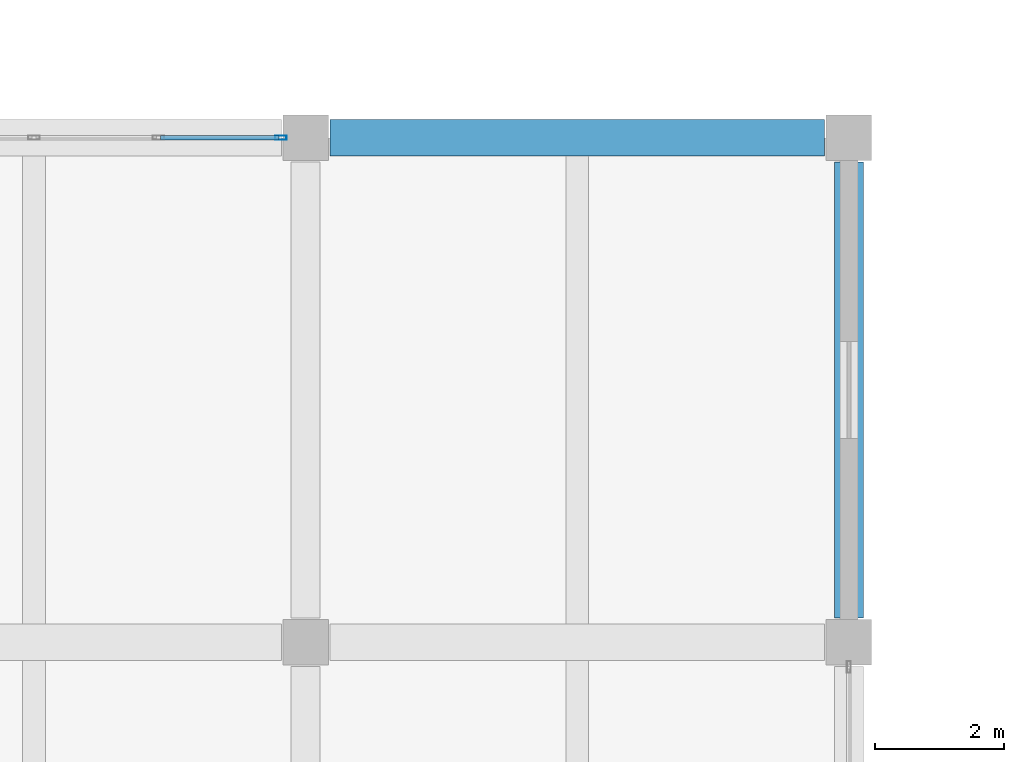
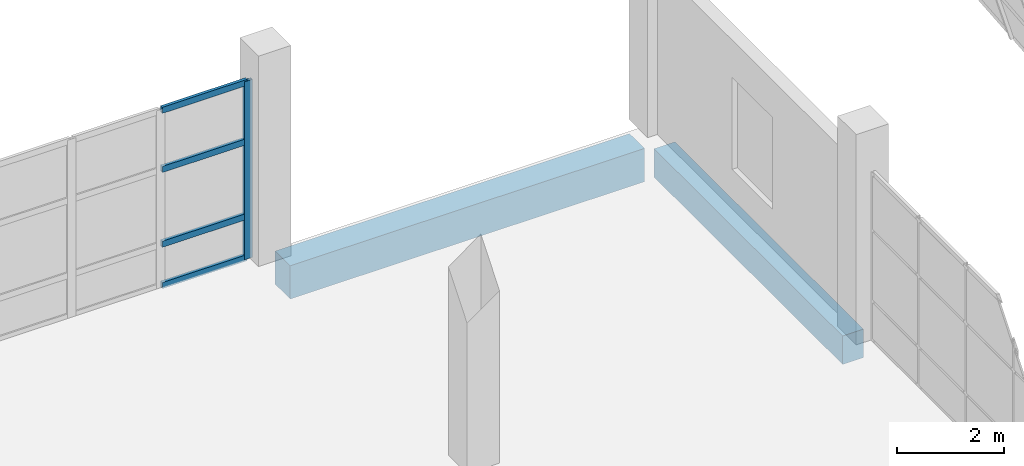
# One storey, part 30 of 91: 5 members, 2 beams, 1 element without a shape of its own.
"""IFC4 building model written with IfcOpenShell, lengths in metres."""

from ifc_helpers import new_model, si_unit, direction, frame, origin, origin_2d, place, context, subcontext, project, spatial, rectangle, hollow_rectangle, extrude, material, material_profile, profile_set, type_object, element, aggregate, save


model = new_model("IFC4")

# Units and contexts
model_context = context("Model", 3, precision=1e-05, world=origin(), true_north=direction((0.0, 1.0)))
body_context = subcontext(model_context, "Body", "Model", "MODEL_VIEW")
ifc_project = project(units=[si_unit("LENGTHUNIT", "METRE"), si_unit("AREAUNIT", "SQUARE_METRE"), si_unit("VOLUMEUNIT", "CUBIC_METRE"), si_unit("PLANEANGLEUNIT", "RADIAN"), si_unit("MASSUNIT", "GRAM", prefix="KILO")], contexts=[model_context])

# Site, building, storey
site_placement = place(None, origin())
site = spatial("IfcSite", under=ifc_project, at=site_placement, CompositionType="ELEMENT")
building_placement = place(site_placement, origin())
building = spatial("IfcBuilding", under=site, at=building_placement, Name="Pellamere Symphony Hall", CompositionType="ELEMENT")
storey_placement = place(building_placement, frame((0.0, 0.0, 5.39990234375)))
storey = spatial("IfcBuildingStorey", under=building, at=storey_placement, Name="L01", CompositionType="ELEMENT", Elevation=5.39990234375)

# Curtain wall, members
ifc_material_1 = material(Name="Thermally Broken Anodised Aluminium 6063-T6 Curtain Wall", Category="aluminium")
curtain_wall_type = type_object("IfcCurtainWallType", Name="Curtain Wall CW-04 (Chamber Music Lobby Curtain Wall)", PredefinedType="NOTDEFINED", material=ifc_material_1)
curtain_wall_placement = place(storey_placement, origin())
curtain_wall = element("IfcCurtainWall", 1, at=curtain_wall_placement, inside=storey, type_object=curtain_wall_type, Name="Chamber Garden North Curtain Wall (L01 Bay 2)", PredefinedType="NOTDEFINED")
ifc_material_2 = material(Name="Anodised Architectural Aluminium 6063-T6", Category="aluminium")
ifc_material_profile_1 = material_profile(ifc_material_2, hollow_rectangle(XDim=0.06494140625, YDim=0.179931640625, WallThickness=0.00390625, at=origin_2d()), Name="ALU-M65X180X4")
ifc_profile_set_1 = profile_set([ifc_material_profile_1], Name="Anodised Architectural Aluminium 6063-T6")
member_type_1 = type_object("IfcMemberType", Name="Curtain Wall Mullion ML-02 ALU-M65X180X4", PredefinedType="MULLION", material=ifc_profile_set_1)
member_1_placement = place(storey_placement, frame((33.217529296875, 54.0, 0.0), z_axis=(0.0, 0.0, 1.0), x_axis=(0.0, 1.0, 0.0)))
member_1 = element("IfcMember", 2, at=member_1_placement, type_object=member_type_1, Name="CW4N-120 crystal mullion 5", PredefinedType="MULLION", context=body_context, shape_type="SweptSolid", body=[
    extrude(hollow_rectangle(XDim=0.06494140625, YDim=0.179931640625, WallThickness=0.00390625, at=origin_2d()), origin(), (0.0, 0.0, 1.0), 4.064208984375),
])
ifc_material_profile_2 = material_profile(ifc_material_2, hollow_rectangle(XDim=0.06494140625, YDim=0.139892578125, WallThickness=0.00390625, at=origin_2d()), Name="ALU-T65X140X4")
ifc_profile_set_2 = profile_set([ifc_material_profile_2], Name="Anodised Architectural Aluminium 6063-T6")
member_type_2 = type_object("IfcMemberType", Name="Curtain Wall Transom TR-02 ALU-T65X140X4", PredefinedType="USERDEFINED", material=ifc_profile_set_2)
member_2_placement = place(storey_placement, frame((31.357421875, 54.0, 0.03271484375), z_axis=(1.0, 0.0, 0.0), x_axis=(0.0, 1.0, 0.0)))
member_2 = element("IfcMember", 3, at=member_2_placement, type_object=member_type_2, Name="CW4N-120 crystal transom 4.1", ObjectType="TRANSOM", PredefinedType="USERDEFINED", context=body_context, shape_type="SweptSolid", body=[
    extrude(hollow_rectangle(XDim=0.06494140625, YDim=0.139892578125, WallThickness=0.00390625, at=origin_2d()), origin(), (0.0, 0.0, 1.0), 1.82763671875),
])
member_3_placement = place(storey_placement, frame((31.357421875, 54.0, 0.975341796875), z_axis=(1.0, 0.0, 0.0), x_axis=(0.0, 1.0, 0.0)))
member_3 = element("IfcMember", 4, at=member_3_placement, type_object=member_type_2, Name="CW4N-120 crystal transom 4.2", ObjectType="TRANSOM", PredefinedType="USERDEFINED", context=body_context, shape_type="SweptSolid", body=[
    extrude(hollow_rectangle(XDim=0.06494140625, YDim=0.139892578125, WallThickness=0.00390625, at=origin_2d()), origin(), (0.0, 0.0, 1.0), 1.82763671875),
])
member_4_placement = place(storey_placement, frame((31.357421875, 54.0, 2.682373046875), z_axis=(1.0, 0.0, 0.0), x_axis=(0.0, 1.0, 0.0)))
member_4 = element("IfcMember", 5, at=member_4_placement, type_object=member_type_2, Name="CW4N-120 crystal transom 4.3", ObjectType="TRANSOM", PredefinedType="USERDEFINED", context=body_context, shape_type="SweptSolid", body=[
    extrude(hollow_rectangle(XDim=0.06494140625, YDim=0.139892578125, WallThickness=0.00390625, at=origin_2d()), origin(), (0.0, 0.0, 1.0), 1.82763671875),
])
member_5_placement = place(storey_placement, frame((31.357421875, 54.0, 4.031494140625), z_axis=(1.0, 0.0, 0.0), x_axis=(0.0, 1.0, 0.0)))
member_5 = element("IfcMember", 6, at=member_5_placement, type_object=member_type_2, Name="CW4N-120 crystal transom 4.4", ObjectType="TRANSOM", PredefinedType="USERDEFINED", context=body_context, shape_type="SweptSolid", body=[
    extrude(hollow_rectangle(XDim=0.06494140625, YDim=0.139892578125, WallThickness=0.00390625, at=origin_2d()), origin(), (0.0, 0.0, 1.0), 1.82763671875),
])
aggregate(curtain_wall, [member_1, member_2, member_3, member_4, member_5])

# Beams
ifc_material_3 = material(Name="Concrete 40 MPa", Category="concrete")
ifc_material_profile_3 = material_profile(ifc_material_3, rectangle(XDim=0.449951171875, YDim=0.64990234375, at=origin_2d()), Name="RC 450x650")
ifc_profile_set_3 = profile_set([ifc_material_profile_3], Name="Concrete 40 MPa")
beam_type_1 = type_object("IfcBeamType", Name="RC CB-08 450x650", PredefinedType="BEAM", material=ifc_profile_set_3)
beam_1_placement = place(storey_placement, frame((42.0, 46.574951171875, -0.60498046875), z_axis=(0.0, 1.0, 0.0), x_axis=(-1.0, 0.0, 0.0)))
element("IfcBeam", 7, at=beam_1_placement, inside=storey, type_object=beam_type_1, Name="Girder CB-08-Y0746 (L01)", PredefinedType="BEAM", context=body_context, shape_type="SweptSolid", body=[
    extrude(rectangle(XDim=0.449951171875, YDim=0.64990234375, at=origin_2d()), origin(), (0.0, 0.0, 1.0), 7.050048828125),
])
ifc_material_profile_4 = material_profile(ifc_material_3, rectangle(XDim=0.56005859375, YDim=0.760009765625, at=origin_2d()), Name="RC 560x760")
ifc_profile_set_4 = profile_set([ifc_material_profile_4], Name="Concrete 40 MPa")
beam_type_2 = type_object("IfcBeamType", Name="RC CB-18 560x760", PredefinedType="BEAM", material=ifc_profile_set_4)
beam_2_placement = place(storey_placement, frame((33.97509765625, 54.0, -0.659912109375), z_axis=(1.0, 0.0, 0.0), x_axis=(0.0, 1.0, 0.0)))
element("IfcBeam", 8, at=beam_2_placement, inside=storey, type_object=beam_type_2, Name="Girder CB-18-X0639 (L01)", PredefinedType="BEAM", context=body_context, shape_type="SweptSolid", body=[
    extrude(rectangle(XDim=0.56005859375, YDim=0.760009765625, at=origin_2d()), origin(), (0.0, 0.0, 1.0), 7.64990234375),
])

save(model, "model.ifc")
